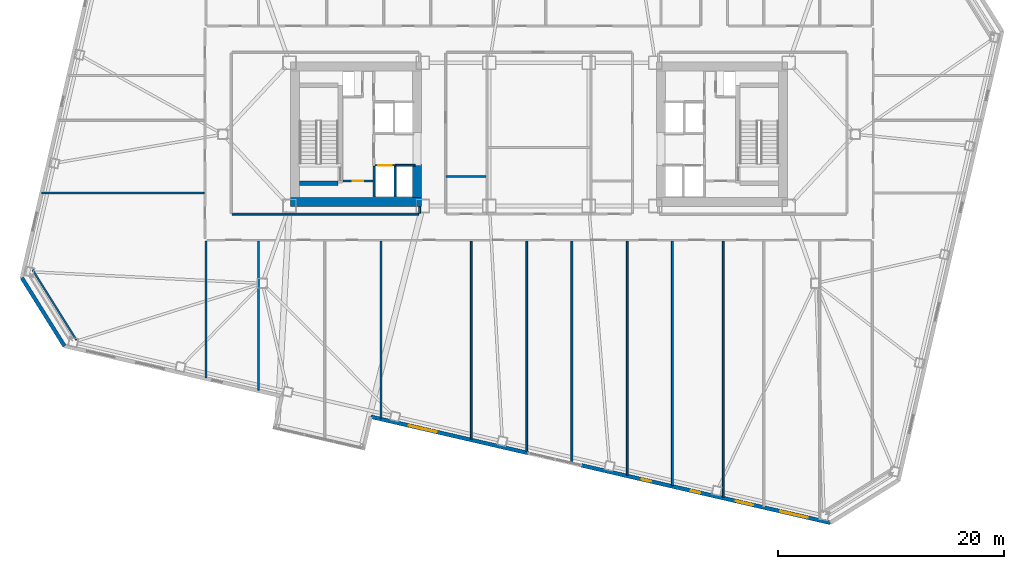
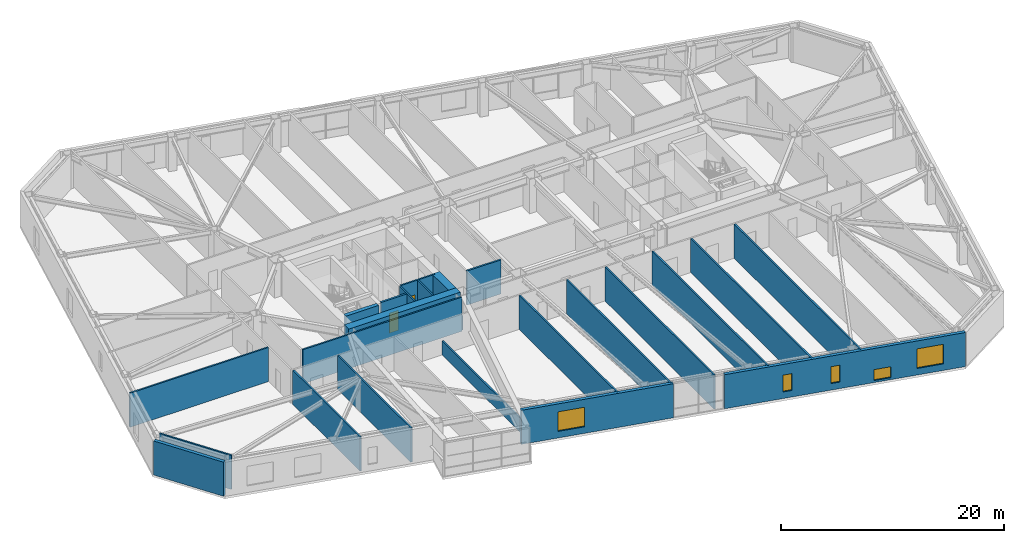
# One storey, part 11 of 21: 25 walls, 5 windows, 2 doors, 7 openings.
"""IFC4 building model written with IfcOpenShell, lengths in metres."""

from ifc_helpers import new_model, si_unit, direction, frame, frame_2d, origin, place, context, subcontext, project, spatial, rectangle, extrude, material, layer, layer_set, type_object, element, fill, save


model = new_model("IFC4")

# Units and contexts
model_context = context("Model", 3, precision=1e-05, world=origin(), true_north=direction((0.0, 1.0)))
body_context = subcontext(model_context, "Body", "Model", "MODEL_VIEW")
ifc_project = project(units=[si_unit("LENGTHUNIT", "METRE"), si_unit("AREAUNIT", "SQUARE_METRE"), si_unit("VOLUMEUNIT", "CUBIC_METRE"), si_unit("PLANEANGLEUNIT", "RADIAN"), si_unit("MASSUNIT", "GRAM", prefix="KILO")], contexts=[model_context])

# Site, building, storey
site_placement = place(None, origin())
site = spatial("IfcSite", under=ifc_project, at=site_placement, CompositionType="ELEMENT")
building_placement = place(site_placement, origin())
building = spatial("IfcBuilding", under=site, at=building_placement, Name="Tavrogorsk Clinical Tower", CompositionType="ELEMENT")
storey_placement = place(building_placement, frame((0.0, 0.0, 43.39990234375)))
storey = spatial("IfcBuildingStorey", under=building, at=storey_placement, Name="L08", CompositionType="ELEMENT", Elevation=43.39990234375)

# Wall, opening, door
ifc_material_1 = material(Name="Concrete B60", Category="concrete")
ifc_layer_1 = layer(ifc_material_1, 0.199951171875)
ifc_layer_set_1 = layer_set([ifc_layer_1], Name="Concrete B60")
wall_type_1 = type_object("IfcWallType", Name="CoreFireWall_200", PredefinedType="SOLIDWALL", material=ifc_layer_set_1)
wall_1_placement = place(storey_placement, frame((-17.3798828125, -4.139892578125, 0.0), z_axis=(0.0, 0.0, 1.0), x_axis=(1.0, 0.0, 0.0)))
wall_1 = element("IfcWall", 1, at=wall_1_placement, inside=storey, type_object=wall_type_1, Name="L08 Core West South Core Room Fire Wall", PredefinedType="SOLIDWALL", context=body_context, shape_type="SweptSolid", body=[
    extrude(rectangle(XDim=2.659912109375, YDim=0.199951171875, at=frame_2d((1.330078125, 0.0))), origin(), (0.0, 0.0, 1.0), 3.739990234375),
])
opening_1_placement = place(wall_1_placement, frame((0.8798828125, 0.0, 0.0)))
opening_1 = element("IfcOpeningElement", 2, at=opening_1_placement, cuts=wall_1, Name="Opening ID-02", PredefinedType="OPENING", context=body_context, shape_type="SweptSolid", body=[
    extrude(rectangle(XDim=0.949951171875, YDim=2.199951171875, at=frame_2d((0.47509765625, 1.10009765625))), frame((0.0, 0.10986328125, 0.0), z_axis=(0.0, -1.0, 0.0), x_axis=(1.0, 0.0, 0.0)), (0.0, 0.0, 1.0), 0.219970703125),
])
ifc_material_2 = material(Name="Laminated timber leaf on aluminium frame", Category="wood")
door_type_1 = type_object("IfcDoorType", Name="InteriorDoor_ID02_950", OperationType="NOTDEFINED", PredefinedType="DOOR", material=ifc_material_2)
door_1_placement = place(opening_1_placement, origin())
door_1 = element("IfcDoor", 3, at=door_1_placement, inside=storey, type_object=door_type_1, Name="L08 Core West South Core Room Door", OperationType="SINGLE_SWING_RIGHT", OverallHeight=2.199951171875, OverallWidth=0.949951171875, PredefinedType="DOOR", context=body_context, shape_type="SweptSolid", body=[
    extrude(rectangle(XDim=0.949951171875, YDim=2.199951171875, at=frame_2d((0.47509765625, 1.10009765625))), frame((0.0, 0.02490234375, 0.0), z_axis=(0.0, -1.0, 0.0), x_axis=(1.0, 0.0, 0.0)), (0.0, 0.0, 1.0), 0.050048828125),
])
fill(opening_1, door_1)

# Walls
ifc_material_3 = material(Name="Lightweight concrete blockwork B15", Category="masonry")
ifc_layer_2 = layer(ifc_material_3, 0.159912109375)
ifc_layer_set_2 = layer_set([ifc_layer_2], Name="Lightweight concrete blockwork B15")
wall_type_2 = type_object("IfcWallType", Name="PartitionWall_160", PredefinedType="PARTITIONING", material=ifc_layer_set_2)
wall_2_placement = place(storey_placement, frame((-44.85986328125, -11.9892578125, 0.0), z_axis=(0.0, 0.0, 1.0), x_axis=(0.52991239767, -0.848052386823, 0.0)))
element("IfcWall", 4, at=wall_2_placement, inside=storey, type_object=wall_type_2, Name="L08 Corner Exoskeleton Brace Furring Wall 4", PredefinedType="PARTITIONING", context=body_context, shape_type="SweptSolid", body=[
    extrude(rectangle(XDim=7.35400390625, YDim=0.159912109375, at=frame_2d((3.677001953125, 0.0))), origin(), (0.0, 0.0, 1.0), 3.739990234375),
])
wall_3_placement = place(storey_placement, frame((-10.580078125, -6.985107421875, 0.0), z_axis=(0.0, 0.0, 1.0), x_axis=(0.0, 1.0, 0.0)))
element("IfcWall", 5, at=wall_3_placement, inside=storey, type_object=wall_type_2, Name="L08 Corridor Partition 18", PredefinedType="PARTITIONING", context=body_context, shape_type="SweptSolid", body=[
    extrude(rectangle(XDim=0.565185546875, YDim=0.159912109375, at=frame_2d((0.28271484375, 0.0))), origin(), (0.0, 0.0, 1.0), 1.53515625),
])
wall_4_placement = place(storey_placement, frame((-27.18505859375, -7.070068359375, 0.0), z_axis=(0.0, 0.0, 1.0), x_axis=(1.0, 0.0, 0.0)))
element("IfcWall", 6, at=wall_4_placement, inside=storey, type_object=wall_type_2, Name="L08 Corridor Partition 22", PredefinedType="PARTITIONING", context=body_context, shape_type="SweptSolid", body=[
    extrude(rectangle(XDim=16.52001953125, YDim=0.159912109375, at=frame_2d((8.260009765625, 0.0))), origin(), (0.0, 0.0, 1.0), 3.739990234375),
])
wall_5_placement = place(storey_placement, frame((-29.5, -21.570556640625, 0.0), z_axis=(0.0, 0.0, 1.0), x_axis=(0.0, 1.0, 0.0)))
element("IfcWall", 7, at=wall_5_placement, inside=storey, type_object=wall_type_2, Name="L08 SW Wing Closure Partition", PredefinedType="PARTITIONING", context=body_context, shape_type="SweptSolid", body=[
    extrude(rectangle(XDim=12.10546875, YDim=0.159912109375, at=frame_2d((6.052734375, 0.0))), origin(), (0.0, 0.0, 1.0), 3.739990234375),
])
wall_6_placement = place(storey_placement, frame((-24.85009765625, -22.64404296875, 0.0), z_axis=(0.0, 0.0, 1.0), x_axis=(0.0, 1.0, 0.0)))
element("IfcWall", 8, at=wall_6_placement, inside=storey, type_object=wall_type_2, Name="L08 South Room Partition 1", PredefinedType="PARTITIONING", context=body_context, shape_type="SweptSolid", body=[
    extrude(rectangle(XDim=13.178955078125, YDim=0.159912109375, at=frame_2d((6.58935546875, 0.0))), origin(), (0.0, 0.0, 1.0), 3.739990234375),
])
wall_7_placement = place(storey_placement, frame((-14.0, -25.14892578125, 0.0), z_axis=(0.0, 0.0, 1.0), x_axis=(0.0, 1.0, 0.0)))
element("IfcWall", 9, at=wall_7_placement, inside=storey, type_object=wall_type_2, Name="L08 South Room Partition 2", PredefinedType="PARTITIONING", context=body_context, shape_type="SweptSolid", body=[
    extrude(rectangle(XDim=15.683837890625, YDim=0.159912109375, at=frame_2d((7.841796875, 0.0))), origin(), (0.0, 0.0, 1.0), 1.53515625),
])
wall_8_placement = place(storey_placement, frame((-6.0, -26.995849609375, 0.0), z_axis=(0.0, 0.0, 1.0), x_axis=(0.0, 1.0, 0.0)))
element("IfcWall", 10, at=wall_8_placement, inside=storey, type_object=wall_type_2, Name="L08 South Room Partition 3", PredefinedType="PARTITIONING", context=body_context, shape_type="SweptSolid", body=[
    extrude(rectangle(XDim=17.53076171875, YDim=0.159912109375, at=frame_2d((8.765380859375, 0.0))), origin(), (0.0, 0.0, 1.0), 3.739990234375),
])
wall_9_placement = place(storey_placement, frame((2.89990234375, -29.05078125, 0.0), z_axis=(0.0, 0.0, 1.0), x_axis=(0.0, 1.0, 0.0)))
element("IfcWall", 11, at=wall_9_placement, inside=storey, type_object=wall_type_2, Name="L08 South Room Partition 4", PredefinedType="PARTITIONING", context=body_context, shape_type="SweptSolid", body=[
    extrude(rectangle(XDim=19.585693359375, YDim=0.159912109375, at=frame_2d((9.79296875, 0.0))), origin(), (0.0, 0.0, 1.0), 3.739990234375),
])
wall_10_placement = place(storey_placement, frame((11.800048828125, -31.10546875, 0.0), z_axis=(0.0, 0.0, 1.0), x_axis=(0.0, 1.0, 0.0)))
element("IfcWall", 12, at=wall_10_placement, inside=storey, type_object=wall_type_2, Name="L08 South Room Partition 5", PredefinedType="PARTITIONING", context=body_context, shape_type="SweptSolid", body=[
    extrude(rectangle(XDim=21.640380859375, YDim=0.159912109375, at=frame_2d((10.8203125, 0.0))), origin(), (0.0, 0.0, 1.0), 3.739990234375),
])
wall_11_placement = place(storey_placement, frame((-1.10009765625, -28.127197265625, 0.0), z_axis=(0.0, 0.0, 1.0), x_axis=(0.0, 1.0, 0.0)))
element("IfcWall", 13, at=wall_11_placement, inside=storey, type_object=wall_type_2, Name="L08 South Sub-Partition 4", PredefinedType="PARTITIONING", context=body_context, shape_type="SweptSolid", body=[
    extrude(rectangle(XDim=18.662109375, YDim=0.159912109375, at=frame_2d((9.3310546875, 0.0))), origin(), (0.0, 0.0, 1.0), 3.739990234375),
])
wall_12_placement = place(storey_placement, frame((7.800048828125, -30.181884765625, 0.0), z_axis=(0.0, 0.0, 1.0), x_axis=(0.0, 1.0, 0.0)))
element("IfcWall", 14, at=wall_12_placement, inside=storey, type_object=wall_type_2, Name="L08 South Sub-Partition 5", PredefinedType="PARTITIONING", context=body_context, shape_type="SweptSolid", body=[
    extrude(rectangle(XDim=20.716796875, YDim=0.159912109375, at=frame_2d((10.3583984375, 0.0))), origin(), (0.0, 0.0, 1.0), 3.739990234375),
])
wall_13_placement = place(storey_placement, frame((16.300048828125, -32.144287109375, 0.0), z_axis=(0.0, 0.0, 1.0), x_axis=(0.0, 1.0, 0.0)))
element("IfcWall", 15, at=wall_13_placement, inside=storey, type_object=wall_type_2, Name="L08 South Sub-Partition 6", PredefinedType="PARTITIONING", context=body_context, shape_type="SweptSolid", body=[
    extrude(rectangle(XDim=22.67919921875, YDim=0.159912109375, at=frame_2d((11.339599609375, 0.0))), origin(), (0.0, 0.0, 1.0), 3.739990234375),
])
wall_14_placement = place(storey_placement, frame((-44.0419921875, -5.199951171875, 0.0), z_axis=(0.0, 0.0, 1.0), x_axis=(1.0, 0.0, 0.0)))
element("IfcWall", 16, at=wall_14_placement, inside=storey, type_object=wall_type_2, Name="L08 W Wing Divider 1", PredefinedType="PARTITIONING", context=body_context, shape_type="SweptSolid", body=[
    extrude(rectangle(XDim=14.376953125, YDim=0.159912109375, at=frame_2d((7.1884765625, 0.0))), origin(), (0.0, 0.0, 1.0), 3.739990234375),
])
ifc_material_4 = material(Name="Lightweight concrete blockwork B20", Category="masonry")
ifc_layer_3 = layer(ifc_material_4, 0.179931640625)
ifc_layer_set_3 = layer_set([ifc_layer_3], Name="Lightweight concrete blockwork B20")
wall_type_3 = type_object("IfcWallType", Name="PartitionWall_180", PredefinedType="PARTITIONING", material=ifc_layer_set_3)
wall_15_placement = place(storey_placement, frame((-8.264892578125, -3.75, 0.0), z_axis=(0.0, 0.0, 1.0), x_axis=(1.0, 0.0, 0.0)))
element("IfcWall", 17, at=wall_15_placement, inside=storey, type_object=wall_type_3, Name="L08 Central Spine Partition 4", PredefinedType="PARTITIONING", context=body_context, shape_type="SweptSolid", body=[
    extrude(rectangle(XDim=3.56982421875, YDim=0.179931640625, at=frame_2d((1.784912109375, 0.0))), origin(), (0.0, 0.0, 1.0), 3.739990234375),
])

# Wall, opening, window
ifc_material_5 = material(Name="Precast concrete B45 with limestone cladding", Category="masonry")
ifc_layer_4 = layer(ifc_material_5, 0.340087890625)
ifc_layer_set_4 = layer_set([ifc_layer_4], Name="Precast concrete B45 with limestone cladding")
wall_type_4 = type_object("IfcWallType", Name="PrecastLimestoneWall_340", PredefinedType="STANDARD", material=ifc_layer_set_4)
wall_16_placement = place(storey_placement, frame((-14.892333984375, -25.014892578125, 0.0), z_axis=(0.0, 0.0, 1.0), x_axis=(0.974372775, -0.224939314791, 0.0)))
wall_16 = element("IfcWall", 18, at=wall_16_placement, inside=storey, type_object=wall_type_4, Name="L08 S Limestone Facade Wall 2", PredefinedType="STANDARD", context=body_context, shape_type="SweptSolid", body=[
    extrude(rectangle(XDim=14.298583984375, YDim=0.340087890625, at=frame_2d((7.1494140625, 0.0))), origin(), (0.0, 0.0, 1.0), 3.739990234375),
])
opening_2_placement = place(wall_16_placement, frame((3.457763671875, 0.0, 0.719970703125)))
opening_2 = element("IfcOpeningElement", 19, at=opening_2_placement, cuts=wall_16, Name="Opening WN-11", PredefinedType="OPENING", context=body_context, shape_type="SweptSolid", body=[
    extrude(rectangle(XDim=2.5, YDim=2.14990234375, at=frame_2d((1.25, 1.074951171875))), frame((0.0, 0.179931640625, 0.0), z_axis=(0.0, -1.0, 0.0), x_axis=(1.0, 0.0, 0.0)), (0.0, 0.0, 1.0), 0.360107421875),
])
ifc_material_6 = material(Name="Thermally broken aluminium frame and triple IGU", Category="aluminium")
window_type_1 = type_object("IfcWindowType", Name="StepDownWin_2500x2150", PartitioningType="TRIPLE_PANEL_HORIZONTAL", PredefinedType="WINDOW", material=ifc_material_6)
window_1_placement = place(opening_2_placement, origin())
window_1 = element("IfcWindow", 20, at=window_1_placement, inside=storey, type_object=window_type_1, Name="L08 S Chicago Window 05", OverallHeight=2.14990234375, OverallWidth=2.5, PartitioningType="SINGLE_PANEL", PredefinedType="WINDOW", context=body_context, shape_type="SweptSolid", body=[
    extrude(rectangle(XDim=2.5, YDim=2.14990234375, at=frame_2d((1.25, 1.074951171875))), frame((0.0, 0.030029296875, 0.0), z_axis=(0.0, -1.0, 0.0), x_axis=(1.0, 0.0, 0.0)), (0.0, 0.0, 1.0), 0.06005859375),
])
fill(opening_2, window_1)

# Wall, openings, windows
wall_17_placement = place(storey_placement, frame((3.716796875, -29.31103515625, 0.0), z_axis=(0.0, 0.0, 1.0), x_axis=(0.97436993772, -0.224951604723, 0.0)))
wall_17 = element("IfcWall", 21, at=wall_17_placement, inside=storey, type_object=wall_type_4, Name="L08 S Limestone Facade Wall 3", PredefinedType="STANDARD", context=body_context, shape_type="SweptSolid", body=[
    extrude(rectangle(XDim=22.6513671875, YDim=0.340087890625, at=frame_2d((11.32568359375, 0.0))), origin(), (0.0, 0.0, 1.0), 3.739990234375),
])
opening_3_placement = place(wall_17_placement, frame((5.50634765625, 0.0, 0.719970703125)))
opening_3 = element("IfcOpeningElement", 22, at=opening_3_placement, cuts=wall_17, Name="Opening WN-06", PredefinedType="OPENING", context=body_context, shape_type="SweptSolid", body=[
    extrude(rectangle(XDim=0.85009765625, YDim=1.85009765625, at=frame_2d((0.425048828125, 0.925048828125))), frame((0.0, 0.179931640625, 0.0), z_axis=(0.0, -1.0, 0.0), x_axis=(1.0, 0.0, 0.0)), (0.0, 0.0, 1.0), 0.360107421875),
])
opening_4_placement = place(wall_17_placement, frame((9.99072265625, 0.0, 0.719970703125)))
opening_4 = element("IfcOpeningElement", 23, at=opening_4_placement, cuts=wall_17, Name="Opening WN-06", PredefinedType="OPENING", context=body_context, shape_type="SweptSolid", body=[
    extrude(rectangle(XDim=0.85009765625, YDim=1.85009765625, at=frame_2d((0.425048828125, 0.925048828125))), frame((0.0, 0.179931640625, 0.0), z_axis=(0.0, -1.0, 0.0), x_axis=(1.0, 0.0, 0.0)), (0.0, 0.0, 1.0), 0.360107421875),
])
opening_5_placement = place(wall_17_placement, frame((14.054931640625, 0.0, 0.219970703125)))
opening_5 = element("IfcOpeningElement", 24, at=opening_5_placement, cuts=wall_17, Name="Opening WN-09", PredefinedType="OPENING", context=body_context, shape_type="SweptSolid", body=[
    extrude(rectangle(XDim=1.60009765625, YDim=1.199951171875, at=frame_2d((0.800048828125, 0.60009765625))), frame((0.0, 0.179931640625, 0.0), z_axis=(0.0, -1.0, 0.0), x_axis=(1.0, 0.0, 0.0)), (0.0, 0.0, 1.0), 0.360107421875),
])
opening_6_placement = place(wall_17_placement, frame((18.08935546875, 0.0, 0.719970703125)))
opening_6 = element("IfcOpeningElement", 25, at=opening_6_placement, cuts=wall_17, Name="Opening WN-11", PredefinedType="OPENING", context=body_context, shape_type="SweptSolid", body=[
    extrude(rectangle(XDim=2.5, YDim=2.14990234375, at=frame_2d((1.25, 1.074951171875))), frame((0.0, 0.179931640625, 0.0), z_axis=(0.0, -1.0, 0.0), x_axis=(1.0, 0.0, 0.0)), (0.0, 0.0, 1.0), 0.360107421875),
])
ifc_material_7 = material(Name="Thermally broken aluminium frame and triple IGU", Category="aluminium")
window_type_2 = type_object("IfcWindowType", Name="LowHeadTransWin_1600x1200", PartitioningType="DOUBLE_PANEL_VERTICAL", PredefinedType="WINDOW", material=ifc_material_7)
window_2_placement = place(opening_5_placement, origin())
window_2 = element("IfcWindow", 26, at=window_2_placement, inside=storey, type_object=window_type_2, Name="L08 S Chicago Window 09", OverallHeight=1.199951171875, OverallWidth=1.60009765625, PartitioningType="SINGLE_PANEL", PredefinedType="WINDOW", context=body_context, shape_type="SweptSolid", body=[
    extrude(rectangle(XDim=1.60009765625, YDim=1.199951171875, at=frame_2d((0.800048828125, 0.60009765625))), frame((0.0, 0.030029296875, 0.0), z_axis=(0.0, -1.0, 0.0), x_axis=(1.0, 0.0, 0.0)), (0.0, 0.0, 1.0), 0.06005859375),
])
fill(opening_5, window_2)
ifc_material_8 = material(Name="Thermally broken aluminium frame and triple IGU", Category="aluminium")
window_type_3 = type_object("IfcWindowType", Name="MullionSubWin_850x1850", PartitioningType="SINGLE_PANEL", PredefinedType="WINDOW", material=ifc_material_8)
window_3_placement = place(opening_3_placement, origin())
window_3 = element("IfcWindow", 27, at=window_3_placement, inside=storey, type_object=window_type_3, Name="L08 S Mullion Split Window 07B", OverallHeight=1.85009765625, OverallWidth=0.85009765625, PartitioningType="SINGLE_PANEL", PredefinedType="WINDOW", context=body_context, shape_type="SweptSolid", body=[
    extrude(rectangle(XDim=0.85009765625, YDim=1.85009765625, at=frame_2d((0.425048828125, 0.925048828125))), frame((0.0, 0.030029296875, 0.0), z_axis=(0.0, -1.0, 0.0), x_axis=(1.0, 0.0, 0.0)), (0.0, 0.0, 1.0), 0.06005859375),
])
fill(opening_3, window_3)
window_4_placement = place(opening_4_placement, origin())
window_4 = element("IfcWindow", 28, at=window_4_placement, inside=storey, type_object=window_type_3, Name="L08 S Mullion Split Window 08B", OverallHeight=1.85009765625, OverallWidth=0.85009765625, PartitioningType="SINGLE_PANEL", PredefinedType="WINDOW", context=body_context, shape_type="SweptSolid", body=[
    extrude(rectangle(XDim=0.85009765625, YDim=1.85009765625, at=frame_2d((0.425048828125, 0.925048828125))), frame((0.0, 0.030029296875, 0.0), z_axis=(0.0, -1.0, 0.0), x_axis=(1.0, 0.0, 0.0)), (0.0, 0.0, 1.0), 0.06005859375),
])
fill(opening_4, window_4)
window_5_placement = place(opening_6_placement, origin())
window_5 = element("IfcWindow", 29, at=window_5_placement, inside=storey, type_object=window_type_1, Name="L08 S Chicago Window 10", OverallHeight=2.14990234375, OverallWidth=2.5, PartitioningType="SINGLE_PANEL", PredefinedType="WINDOW", context=body_context, shape_type="SweptSolid", body=[
    extrude(rectangle(XDim=2.5, YDim=2.14990234375, at=frame_2d((1.25, 1.074951171875))), frame((0.0, 0.030029296875, 0.0), z_axis=(0.0, -1.0, 0.0), x_axis=(1.0, 0.0, 0.0)), (0.0, 0.0, 1.0), 0.06005859375),
])
fill(opening_6, window_5)

# Wall
wall_18_placement = place(storey_placement, frame((-45.798095703125, -12.71728515625, 0.0), z_axis=(0.0, 0.0, 1.0), x_axis=(0.529906387556, -0.848056142261, 0.0)))
element("IfcWall", 30, at=wall_18_placement, inside=storey, type_object=wall_type_4, Name="L08 Chamfered Corner Wall 4", PredefinedType="STANDARD", context=body_context, shape_type="SweptSolid", body=[
    extrude(rectangle(XDim=7.113525390625, YDim=0.340087890625, at=frame_2d((3.556640625, 0.0))), origin(), (0.0, 0.0, 1.0), 3.739990234375),
])

# Wall, opening, door
ifc_material_9 = material(Name="Lightweight concrete blockwork B25", Category="masonry")
ifc_layer_5 = layer(ifc_material_9, 0.159912109375)
ifc_layer_set_5 = layer_set([ifc_layer_5], Name="Lightweight concrete blockwork B25")
wall_type_5 = type_object("IfcWallType", Name="ShaftWall_160", PredefinedType="PARTITIONING", material=ifc_layer_set_5)
wall_19_placement = place(storey_placement, frame((-14.530029296875, -2.75, 0.0), z_axis=(0.0, 0.0, 1.0), x_axis=(1.0, 0.0, 0.0)))
wall_19 = element("IfcWall", 31, at=wall_19_placement, inside=storey, type_object=wall_type_5, Name="L08 LP-L1 Lift Shaft Portal Wall", PredefinedType="PARTITIONING", context=body_context, shape_type="SweptSolid", body=[
    extrude(rectangle(XDim=1.760009765625, YDim=0.159912109375, at=frame_2d((0.8798828125, 0.0))), origin(), (0.0, 0.0, 1.0), 3.739990234375),
])
opening_7_placement = place(wall_19_placement, frame((0.280029296875, 0.0, 0.0)))
opening_7 = element("IfcOpeningElement", 32, at=opening_7_placement, cuts=wall_19, Name="Opening LD", PredefinedType="OPENING", context=body_context, shape_type="SweptSolid", body=[
    extrude(rectangle(XDim=1.199951171875, YDim=2.199951171875, at=frame_2d((0.60009765625, 1.10009765625))), frame((0.0, 0.08984375, 0.0), z_axis=(0.0, -1.0, 0.0), x_axis=(1.0, 0.0, 0.0)), (0.0, 0.0, 1.0), 0.179931640625),
])
ifc_material_10 = material(Name="Brushed stainless steel AISI 304 sliding doors", Category="steel")
door_type_2 = type_object("IfcDoorType", Name="LiftLandingDoor_LD_1200", OperationType="SLIDING_TO_LEFT", PredefinedType="DOOR", material=ifc_material_10)
door_2_placement = place(opening_7_placement, origin())
door_2 = element("IfcDoor", 33, at=door_2_placement, inside=storey, type_object=door_type_2, Name="L08 LP-L1 Sliding Lift Landing Door", OperationType="SLIDING_TO_LEFT", OverallHeight=2.199951171875, OverallWidth=1.199951171875, PredefinedType="DOOR", context=body_context, shape_type="SweptSolid", body=[
    extrude(rectangle(XDim=1.199951171875, YDim=2.199951171875, at=frame_2d((0.60009765625, 1.10009765625))), frame((0.0, 0.02490234375, 0.0), z_axis=(0.0, -1.0, 0.0), x_axis=(1.0, 0.0, 0.0)), (0.0, 0.0, 1.0), 0.050048828125),
])
fill(opening_7, door_2)

# Walls
for number, where, z_axis, x_axis, name in (
    (34, (-12.75, -5.5400390625, 0.0), (0.0, 0.0, 1.0), (0.0, 1.0, 0.0), "L08 LP-L1 Lift Hoistway Divider Wall"),
    (35, (-14.610107421875, -5.5400390625, 0.0), (0.0, 0.0, 1.0), (0.0, 1.0, 0.0), "L08 LP-L1 Lift Hoistway Outer Cheek Wall"),
):
    element("IfcWall", number, at=place(storey_placement, frame(where, z_axis=z_axis, x_axis=x_axis)), inside=storey, type_object=wall_type_5, Name=name, PredefinedType="PARTITIONING", context=body_context, shape_type="SweptSolid", body=[
        extrude(rectangle(XDim=2.699951171875, YDim=0.159912109375, at=frame_2d((1.35009765625, 0.0))), origin(), (0.0, 0.0, 1.0), 3.739990234375),
    ])
wall_20_placement = place(storey_placement, frame((-12.72998046875, -2.75, 0.0), z_axis=(0.0, 0.0, 1.0), x_axis=(1.0, 0.0, 0.0)))
element("IfcWall", 36, at=wall_20_placement, inside=storey, type_object=wall_type_5, Name="L08 LP-M1 Lift Shaft Portal Wall", PredefinedType="PARTITIONING", context=body_context, shape_type="SweptSolid", body=[
    extrude(rectangle(XDim=1.760009765625, YDim=0.159912109375, at=frame_2d((0.8798828125, 0.0))), origin(), (0.0, 0.0, 1.0), 3.739990234375),
])
ifc_material_11 = material(Name="Concrete B80", Category="concrete")
ifc_layer_6 = layer(ifc_material_11, 0.39990234375)
ifc_layer_set_6 = layer_set([ifc_layer_6], Name="Concrete B80")
wall_type_6 = type_object("IfcWallType", Name="ShearWall_400", PredefinedType="SHEAR", material=ifc_layer_set_6)
wall_21_placement = place(storey_placement, frame((-21.199951171875, -4.324951171875, 0.0), z_axis=(0.0, 0.0, 1.0), x_axis=(1.0, 0.0, 0.0)))
element("IfcWall", 37, at=wall_21_placement, inside=storey, type_object=wall_type_6, Name="L08 Core West Stair Shaft South Shear Wall", PredefinedType="SHEAR", context=body_context, shape_type="SweptSolid", body=[
    extrude(rectangle(XDim=3.39990234375, YDim=0.39990234375, at=frame_2d((1.699951171875, 0.0))), origin(), (0.0, 0.0, 1.0), 3.739990234375),
])
ifc_material_12 = material(Name="Concrete B80", Category="concrete")
ifc_layer_7 = layer(ifc_material_12, 0.800048828125)
ifc_layer_set_7 = layer_set([ifc_layer_7], Name="Concrete B80")
wall_type_7 = type_object("IfcWallType", Name="ShearWall_800", PredefinedType="SHEAR", material=ifc_layer_set_7)
wall_22_placement = place(storey_placement, frame((-22.0, -6.0, 0.0), z_axis=(0.0, 0.0, 1.0), x_axis=(1.0, 0.0, 0.0)))
element("IfcWall", 38, at=wall_22_placement, inside=storey, type_object=wall_type_7, Name="L08 Core West South Shear Wall", PredefinedType="SHEAR", context=body_context, shape_type="SweptSolid", body=[
    extrude(rectangle(XDim=11.60009765625, YDim=0.800048828125, at=frame_2d((5.800048828125, 0.0))), origin(), (0.0, 0.0, 1.0), 3.739990234375),
])
wall_23_placement = place(storey_placement, frame((-10.800048828125, -5.60009765625, 0.0), z_axis=(0.0, 0.0, 1.0), x_axis=(0.0, 1.0, 0.0)))
element("IfcWall", 39, at=wall_23_placement, inside=storey, type_object=wall_type_7, Name="L08 Core West Inner South Pier", PredefinedType="SHEAR", context=body_context, shape_type="SweptSolid", body=[
    extrude(rectangle(XDim=2.9501953125, YDim=0.800048828125, at=frame_2d((1.47509765625, 0.0))), origin(), (0.0, 0.0, 1.0), 3.739990234375),
])

save(model, "model.ifc")
